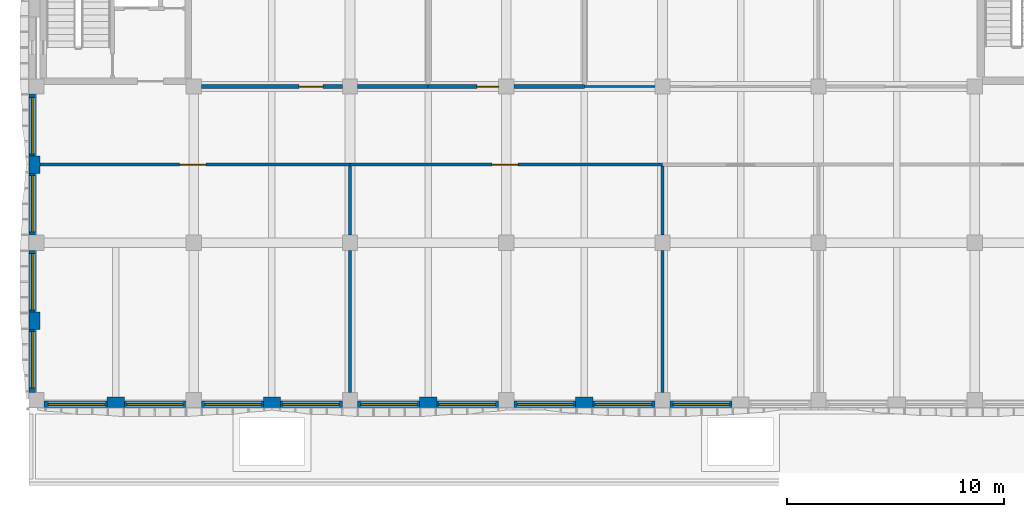
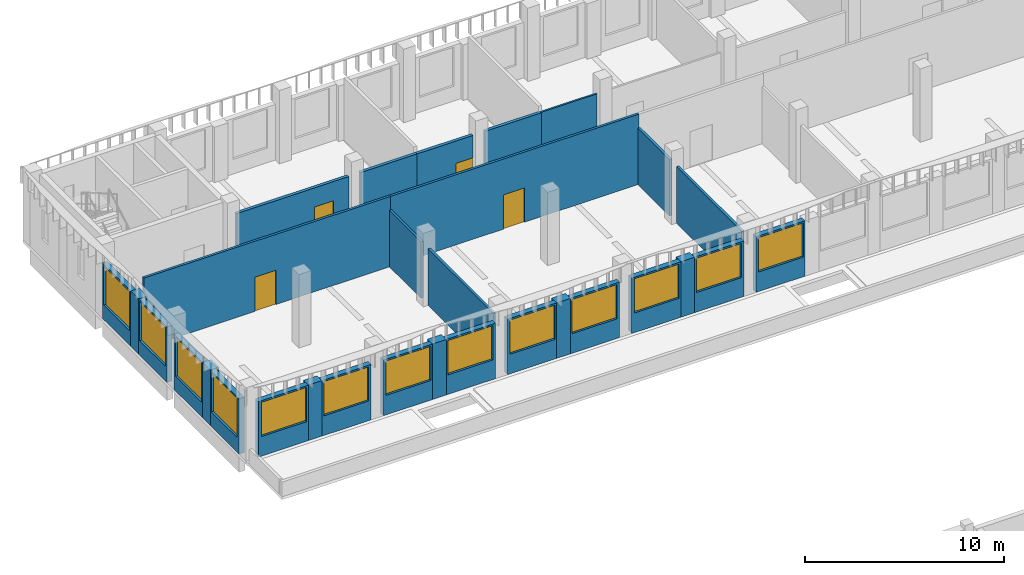
# One storey, part 26 of 59: 30 walls, 13 windows, 4 doors, 17 openings.
"""IFC4 building model written with IfcOpenShell, lengths in metres."""

from ifc_helpers import new_model, si_unit, direction, frame, frame_2d, origin, place, context, subcontext, project, spatial, rectangle, extrude, material, layer, layer_set, type_object, element, fill, save


model = new_model("IFC4")

# Units and contexts
model_context = context("Model", 3, precision=1e-05, world=origin(), true_north=direction((0.0, 1.0)))
body_context = subcontext(model_context, "Body", "Model", "MODEL_VIEW")
ifc_project = project(units=[si_unit("LENGTHUNIT", "METRE"), si_unit("AREAUNIT", "SQUARE_METRE"), si_unit("VOLUMEUNIT", "CUBIC_METRE"), si_unit("PLANEANGLEUNIT", "RADIAN"), si_unit("MASSUNIT", "GRAM", prefix="KILO")], contexts=[model_context])

# Site, building, storey
site_placement = place(None, origin())
site = spatial("IfcSite", under=ifc_project, at=site_placement, CompositionType="ELEMENT")
building_placement = place(site_placement, origin())
building = spatial("IfcBuilding", under=site, at=building_placement, Name="Ussher Court Research Institute", CompositionType="ELEMENT")
storey_placement = place(building_placement, frame((0.0, 0.0, 5.39990234375)))
storey = spatial("IfcBuildingStorey", under=building, at=storey_placement, Name="L01", CompositionType="ELEMENT", Elevation=5.39990234375)

# Wall, opening, door
ifc_material_1 = material(Name="Plasterboard on steel studs with mineral wool", Category="steel")
ifc_layer_1 = layer(ifc_material_1, 0.179931640625)
ifc_layer_set_1 = layer_set([ifc_layer_1], Name="Plasterboard on steel studs with mineral wool")
wall_type_1 = type_object("IfcWallType", Name="Acoustic twin-stud partition 180", PredefinedType="PARTITIONING", material=ifc_layer_set_1)
wall_1_placement = place(storey_placement, frame((10.550048828125, 83.199951171875, 0.0), z_axis=(0.0, 0.0, 1.0), x_axis=(1.0, 0.0, 0.0)))
wall_1 = element("IfcWall", 1, at=wall_1_placement, inside=storey, type_object=wall_type_1, Name="Partition", PredefinedType="PARTITIONING", context=body_context, shape_type="SweptSolid", body=[
    extrude(rectangle(XDim=6.5, YDim=0.179931640625, at=frame_2d((3.25, 0.0))), origin(), (0.0, 0.0, 1.0), 3.47021484375),
])
opening_1_placement = place(wall_1_placement, frame((4.5, 0.0, 0.0)))
opening_1 = element("IfcOpeningElement", 2, at=opening_1_placement, cuts=wall_1, Name="Opening D01010", PredefinedType="OPENING", context=body_context, shape_type="SweptSolid", body=[
    extrude(rectangle(XDim=1.10009765625, YDim=2.300048828125, at=frame_2d((0.550048828125, 1.14990234375))), frame((0.0, 0.10009765625, 0.0), z_axis=(0.0, -1.0, 0.0), x_axis=(1.0, 0.0, 0.0)), (0.0, 0.0, 1.0), 0.199951171875),
])
ifc_material_2 = material(Name="Veneered timber door", Category="wood")
door_type_1 = type_object("IfcDoorType", Name="Seminar room door 1100x2300", OperationType="NOTDEFINED", PredefinedType="DOOR", material=ifc_material_2)
door_1_placement = place(opening_1_placement, origin())
door_1 = element("IfcDoor", 3, at=door_1_placement, inside=storey, type_object=door_type_1, Name="Door D01010", OperationType="SINGLE_SWING_RIGHT", OverallHeight=2.300048828125, OverallWidth=1.10009765625, PredefinedType="DOOR", context=body_context, shape_type="SweptSolid", body=[
    extrude(rectangle(XDim=1.10009765625, YDim=2.300048828125, at=frame_2d((0.550048828125, 1.14990234375))), frame((0.0, 0.02490234375, 0.0), z_axis=(0.0, -1.0, 0.0), x_axis=(1.0, 0.0, 0.0)), (0.0, 0.0, 1.0), 0.050048828125),
])
fill(opening_1, door_1)

# Wall
wall_2_placement = place(storey_placement, frame((17.75, 83.199951171875, 0.0), z_axis=(0.0, 0.0, 1.0), x_axis=(1.0, 0.0, 0.0)))
element("IfcWall", 4, at=wall_2_placement, inside=storey, type_object=wall_type_1, Name="Partition", PredefinedType="PARTITIONING", context=body_context, shape_type="SweptSolid", body=[
    extrude(rectangle(XDim=3.25, YDim=0.179931640625, at=frame_2d((1.625, 0.0))), origin(), (0.0, 0.0, 1.0), 3.47021484375),
])

# Wall, opening, door
wall_3_placement = place(storey_placement, frame((21.0, 83.199951171875, 0.0), z_axis=(0.0, 0.0, 1.0), x_axis=(1.0, 0.0, 0.0)))
wall_3 = element("IfcWall", 5, at=wall_3_placement, inside=storey, type_object=wall_type_1, Name="Partition", PredefinedType="PARTITIONING", context=body_context, shape_type="SweptSolid", body=[
    extrude(rectangle(XDim=3.25, YDim=0.179931640625, at=frame_2d((1.625, 0.0))), origin(), (0.0, 0.0, 1.0), 3.47021484375),
])
opening_2_placement = place(wall_3_placement, frame((2.25, 0.0, 0.0)))
opening_2 = element("IfcOpeningElement", 6, at=opening_2_placement, cuts=wall_3, Name="Opening D01013", PredefinedType="OPENING", context=body_context, shape_type="SweptSolid", body=[
    extrude(rectangle(XDim=1.0, YDim=2.10009765625, at=frame_2d((0.5, 1.050048828125))), frame((0.0, 0.10009765625, 0.0), z_axis=(0.0, -1.0, 0.0), x_axis=(1.0, 0.0, 0.0)), (0.0, 0.0, 1.0), 0.199951171875),
])
ifc_material_3 = material(Name="Veneered timber door", Category="wood")
door_type_2 = type_object("IfcDoorType", Name="Meeting room door 1000x2100", OperationType="NOTDEFINED", PredefinedType="DOOR", material=ifc_material_3)
door_2_placement = place(opening_2_placement, origin())
door_2 = element("IfcDoor", 7, at=door_2_placement, inside=storey, type_object=door_type_2, Name="Door D01013", OperationType="SINGLE_SWING_RIGHT", OverallHeight=2.10009765625, OverallWidth=1.0, PredefinedType="DOOR", context=body_context, shape_type="SweptSolid", body=[
    extrude(rectangle(XDim=1.0, YDim=2.10009765625, at=frame_2d((0.5, 1.050048828125))), frame((0.0, 0.02490234375, 0.0), z_axis=(0.0, -1.0, 0.0), x_axis=(1.0, 0.0, 0.0)), (0.0, 0.0, 1.0), 0.050048828125),
])
fill(opening_2, door_2)

# Wall
wall_4_placement = place(storey_placement, frame((24.949951171875, 83.199951171875, 0.0), z_axis=(0.0, 0.0, 1.0), x_axis=(1.0, 0.0, 0.0)))
element("IfcWall", 8, at=wall_4_placement, inside=storey, type_object=wall_type_1, Name="Partition", PredefinedType="PARTITIONING", context=body_context, shape_type="SweptSolid", body=[
    extrude(rectangle(XDim=3.25, YDim=0.179931640625, at=frame_2d((1.625, 0.0))), origin(), (0.0, 0.0, 1.0), 3.47021484375),
])

# Wall, opening, window
ifc_material_4 = material(Name="Blockwork with cream render", Category="masonry")
ifc_layer_2 = layer(ifc_material_4, 0.300048828125)
ifc_layer_set_2 = layer_set([ifc_layer_2], Name="Blockwork with cream render")
wall_type_2 = type_object("IfcWallType", Name="External wall 300 cream render", PredefinedType="SOLIDWALL", material=ifc_layer_set_2)
wall_5_placement = place(storey_placement, frame((35.0, 68.550048828125, 0.0), z_axis=(0.0, 0.0, 1.0), x_axis=(-1.0, 0.0, 0.0)))
wall_5 = element("IfcWall", 9, at=wall_5_placement, inside=storey, type_object=wall_type_2, Name="External wall EW1 L01", PredefinedType="SOLIDWALL", context=body_context, shape_type="SweptSolid", body=[
    extrude(rectangle(XDim=2.85009765625, YDim=0.300048828125, at=frame_2d((1.425048828125, 0.0))), origin(), (0.0, 0.0, 1.0), 3.400146484375),
])
opening_3_placement = place(wall_5_placement, frame((0.10009765625, 0.0, 1.199951171875)))
opening_3 = element("IfcOpeningElement", 10, at=opening_3_placement, cuts=wall_5, Name="Opening W08", PredefinedType="OPENING", context=body_context, shape_type="SweptSolid", body=[
    extrude(rectangle(XDim=2.60009765625, YDim=2.10009765625, at=frame_2d((1.300048828125, 1.050048828125))), frame((0.0, 0.16015625, 0.0), z_axis=(0.0, -1.0, 0.0), x_axis=(1.0, 0.0, 0.0)), (0.0, 0.0, 1.0), 0.320068359375),
])
ifc_material_5 = material(Name="Bronze anodised aluminium with double glazing", Category="aluminium")
window_type_1 = type_object("IfcWindowType", Name="Dry laboratory bay window 2600x2100", PartitioningType="DOUBLE_PANEL_VERTICAL", PredefinedType="WINDOW", material=ifc_material_5)
window_1_placement = place(opening_3_placement, origin())
window_1 = element("IfcWindow", 11, at=window_1_placement, inside=storey, type_object=window_type_1, Name="Window W08 L01", OverallHeight=2.10009765625, OverallWidth=2.60009765625, PartitioningType="SINGLE_PANEL", PredefinedType="WINDOW", context=body_context, shape_type="SweptSolid", body=[
    extrude(rectangle(XDim=2.60009765625, YDim=2.10009765625, at=frame_2d((1.300048828125, 1.050048828125))), frame((0.0, 0.030029296875, 0.0), z_axis=(0.0, -1.0, 0.0), x_axis=(1.0, 0.0, 0.0)), (0.0, 0.0, 1.0), 0.06005859375),
])
fill(opening_3, window_1)

wall_6_placement = place(storey_placement, frame((31.449951171875, 68.550048828125, 0.0), z_axis=(0.0, 0.0, 1.0), x_axis=(-1.0, 0.0, 0.0)))
wall_6 = element("IfcWall", 12, at=wall_6_placement, inside=storey, type_object=wall_type_2, Name="External wall EW1 L01", PredefinedType="SOLIDWALL", context=body_context, shape_type="SweptSolid", body=[
    extrude(rectangle(XDim=2.849853515625, YDim=0.300048828125, at=frame_2d((1.4248046875, 0.0))), origin(), (0.0, 0.0, 1.0), 3.400146484375),
])
opening_4_placement = place(wall_6_placement, frame((0.14990234375, 0.0, 1.199951171875)))
opening_4 = element("IfcOpeningElement", 13, at=opening_4_placement, cuts=wall_6, Name="Opening W08", PredefinedType="OPENING", context=body_context, shape_type="SweptSolid", body=[
    extrude(rectangle(XDim=2.60009765625, YDim=2.10009765625, at=frame_2d((1.300048828125, 1.050048828125))), frame((0.0, 0.16015625, 0.0), z_axis=(0.0, -1.0, 0.0), x_axis=(1.0, 0.0, 0.0)), (0.0, 0.0, 1.0), 0.320068359375),
])
window_2_placement = place(opening_4_placement, origin())
window_2 = element("IfcWindow", 14, at=window_2_placement, inside=storey, type_object=window_type_1, Name="Window W08 L01", OverallHeight=2.10009765625, OverallWidth=2.60009765625, PartitioningType="SINGLE_PANEL", PredefinedType="WINDOW", context=body_context, shape_type="SweptSolid", body=[
    extrude(rectangle(XDim=2.60009765625, YDim=2.10009765625, at=frame_2d((1.300048828125, 1.050048828125))), frame((0.0, 0.030029296875, 0.0), z_axis=(0.0, -1.0, 0.0), x_axis=(1.0, 0.0, 0.0)), (0.0, 0.0, 1.0), 0.06005859375),
])
fill(opening_4, window_2)

wall_7_placement = place(storey_placement, frame((27.800048828125, 68.550048828125, 0.0), z_axis=(0.0, 0.0, 1.0), x_axis=(-1.0, 0.0, 0.0)))
wall_7 = element("IfcWall", 15, at=wall_7_placement, inside=storey, type_object=wall_type_2, Name="External wall EW1 L01", PredefinedType="SOLIDWALL", context=body_context, shape_type="SweptSolid", body=[
    extrude(rectangle(XDim=2.85009765625, YDim=0.300048828125, at=frame_2d((1.425048828125, 0.0))), origin(), (0.0, 0.0, 1.0), 3.400146484375),
])
opening_5_placement = place(wall_7_placement, frame((0.10009765625, 0.0, 1.199951171875)))
opening_5 = element("IfcOpeningElement", 16, at=opening_5_placement, cuts=wall_7, Name="Opening W08", PredefinedType="OPENING", context=body_context, shape_type="SweptSolid", body=[
    extrude(rectangle(XDim=2.60009765625, YDim=2.10009765625, at=frame_2d((1.300048828125, 1.050048828125))), frame((0.0, 0.16015625, 0.0), z_axis=(0.0, -1.0, 0.0), x_axis=(1.0, 0.0, 0.0)), (0.0, 0.0, 1.0), 0.320068359375),
])
window_3_placement = place(opening_5_placement, origin())
window_3 = element("IfcWindow", 17, at=window_3_placement, inside=storey, type_object=window_type_1, Name="Window W08 L01", OverallHeight=2.10009765625, OverallWidth=2.60009765625, PartitioningType="SINGLE_PANEL", PredefinedType="WINDOW", context=body_context, shape_type="SweptSolid", body=[
    extrude(rectangle(XDim=2.60009765625, YDim=2.10009765625, at=frame_2d((1.300048828125, 1.050048828125))), frame((0.0, 0.030029296875, 0.0), z_axis=(0.0, -1.0, 0.0), x_axis=(1.0, 0.0, 0.0)), (0.0, 0.0, 1.0), 0.06005859375),
])
fill(opening_5, window_3)

wall_8_placement = place(storey_placement, frame((24.25, 68.550048828125, 0.0), z_axis=(0.0, 0.0, 1.0), x_axis=(-1.0, 0.0, 0.0)))
wall_8 = element("IfcWall", 18, at=wall_8_placement, inside=storey, type_object=wall_type_2, Name="External wall EW1 L01", PredefinedType="SOLIDWALL", context=body_context, shape_type="SweptSolid", body=[
    extrude(rectangle(XDim=2.85009765625, YDim=0.300048828125, at=frame_2d((1.425048828125, 0.0))), origin(), (0.0, 0.0, 1.0), 3.400146484375),
])
opening_6_placement = place(wall_8_placement, frame((0.14990234375, 0.0, 1.199951171875)))
opening_6 = element("IfcOpeningElement", 19, at=opening_6_placement, cuts=wall_8, Name="Opening W08", PredefinedType="OPENING", context=body_context, shape_type="SweptSolid", body=[
    extrude(rectangle(XDim=2.60009765625, YDim=2.10009765625, at=frame_2d((1.300048828125, 1.050048828125))), frame((0.0, 0.16015625, 0.0), z_axis=(0.0, -1.0, 0.0), x_axis=(1.0, 0.0, 0.0)), (0.0, 0.0, 1.0), 0.320068359375),
])
window_4_placement = place(opening_6_placement, origin())
window_4 = element("IfcWindow", 20, at=window_4_placement, inside=storey, type_object=window_type_1, Name="Window W08 L01", OverallHeight=2.10009765625, OverallWidth=2.60009765625, PartitioningType="SINGLE_PANEL", PredefinedType="WINDOW", context=body_context, shape_type="SweptSolid", body=[
    extrude(rectangle(XDim=2.60009765625, YDim=2.10009765625, at=frame_2d((1.300048828125, 1.050048828125))), frame((0.0, 0.030029296875, 0.0), z_axis=(0.0, -1.0, 0.0), x_axis=(1.0, 0.0, 0.0)), (0.0, 0.0, 1.0), 0.06005859375),
])
fill(opening_6, window_4)

wall_9_placement = place(storey_placement, frame((20.60009765625, 68.550048828125, 0.0), z_axis=(0.0, 0.0, 1.0), x_axis=(-1.0, 0.0, 0.0)))
wall_9 = element("IfcWall", 21, at=wall_9_placement, inside=storey, type_object=wall_type_2, Name="External wall EW1 L01", PredefinedType="SOLIDWALL", context=body_context, shape_type="SweptSolid", body=[
    extrude(rectangle(XDim=2.85009765625, YDim=0.300048828125, at=frame_2d((1.425048828125, 0.0))), origin(), (0.0, 0.0, 1.0), 3.400146484375),
])
opening_7_placement = place(wall_9_placement, frame((0.10009765625, 0.0, 1.199951171875)))
opening_7 = element("IfcOpeningElement", 22, at=opening_7_placement, cuts=wall_9, Name="Opening W08", PredefinedType="OPENING", context=body_context, shape_type="SweptSolid", body=[
    extrude(rectangle(XDim=2.60009765625, YDim=2.10009765625, at=frame_2d((1.300048828125, 1.050048828125))), frame((0.0, 0.16015625, 0.0), z_axis=(0.0, -1.0, 0.0), x_axis=(1.0, 0.0, 0.0)), (0.0, 0.0, 1.0), 0.320068359375),
])
window_5_placement = place(opening_7_placement, origin())
window_5 = element("IfcWindow", 23, at=window_5_placement, inside=storey, type_object=window_type_1, Name="Window W08 L01", OverallHeight=2.10009765625, OverallWidth=2.60009765625, PartitioningType="SINGLE_PANEL", PredefinedType="WINDOW", context=body_context, shape_type="SweptSolid", body=[
    extrude(rectangle(XDim=2.60009765625, YDim=2.10009765625, at=frame_2d((1.300048828125, 1.050048828125))), frame((0.0, 0.030029296875, 0.0), z_axis=(0.0, -1.0, 0.0), x_axis=(1.0, 0.0, 0.0)), (0.0, 0.0, 1.0), 0.06005859375),
])
fill(opening_7, window_5)

wall_10_placement = place(storey_placement, frame((17.050048828125, 68.550048828125, 0.0), z_axis=(0.0, 0.0, 1.0), x_axis=(-1.0, 0.0, 0.0)))
wall_10 = element("IfcWall", 24, at=wall_10_placement, inside=storey, type_object=wall_type_2, Name="External wall EW1 L01", PredefinedType="SOLIDWALL", context=body_context, shape_type="SweptSolid", body=[
    extrude(rectangle(XDim=2.85009765625, YDim=0.300048828125, at=frame_2d((1.425048828125, 0.0))), origin(), (0.0, 0.0, 1.0), 3.400146484375),
])
opening_8_placement = place(wall_10_placement, frame((0.14990234375, 0.0, 1.199951171875)))
opening_8 = element("IfcOpeningElement", 25, at=opening_8_placement, cuts=wall_10, Name="Opening W08", PredefinedType="OPENING", context=body_context, shape_type="SweptSolid", body=[
    extrude(rectangle(XDim=2.60009765625, YDim=2.10009765625, at=frame_2d((1.300048828125, 1.050048828125))), frame((0.0, 0.16015625, 0.0), z_axis=(0.0, -1.0, 0.0), x_axis=(1.0, 0.0, 0.0)), (0.0, 0.0, 1.0), 0.320068359375),
])
window_6_placement = place(opening_8_placement, origin())
window_6 = element("IfcWindow", 26, at=window_6_placement, inside=storey, type_object=window_type_1, Name="Window W08 L01", OverallHeight=2.10009765625, OverallWidth=2.60009765625, PartitioningType="SINGLE_PANEL", PredefinedType="WINDOW", context=body_context, shape_type="SweptSolid", body=[
    extrude(rectangle(XDim=2.60009765625, YDim=2.10009765625, at=frame_2d((1.300048828125, 1.050048828125))), frame((0.0, 0.030029296875, 0.0), z_axis=(0.0, -1.0, 0.0), x_axis=(1.0, 0.0, 0.0)), (0.0, 0.0, 1.0), 0.06005859375),
])
fill(opening_8, window_6)

wall_11_placement = place(storey_placement, frame((13.39990234375, 68.550048828125, 0.0), z_axis=(0.0, 0.0, 1.0), x_axis=(-1.0, 0.0, 0.0)))
wall_11 = element("IfcWall", 27, at=wall_11_placement, inside=storey, type_object=wall_type_2, Name="External wall EW1 L01", PredefinedType="SOLIDWALL", context=body_context, shape_type="SweptSolid", body=[
    extrude(rectangle(XDim=2.849853515625, YDim=0.300048828125, at=frame_2d((1.4248046875, 0.0))), origin(), (0.0, 0.0, 1.0), 3.400146484375),
])
opening_9_placement = place(wall_11_placement, frame((0.10009765625, 0.0, 1.199951171875)))
opening_9 = element("IfcOpeningElement", 28, at=opening_9_placement, cuts=wall_11, Name="Opening W08", PredefinedType="OPENING", context=body_context, shape_type="SweptSolid", body=[
    extrude(rectangle(XDim=2.60009765625, YDim=2.10009765625, at=frame_2d((1.300048828125, 1.050048828125))), frame((0.0, 0.16015625, 0.0), z_axis=(0.0, -1.0, 0.0), x_axis=(1.0, 0.0, 0.0)), (0.0, 0.0, 1.0), 0.320068359375),
])
window_7_placement = place(opening_9_placement, origin())
window_7 = element("IfcWindow", 29, at=window_7_placement, inside=storey, type_object=window_type_1, Name="Window W08 L01", OverallHeight=2.10009765625, OverallWidth=2.60009765625, PartitioningType="SINGLE_PANEL", PredefinedType="WINDOW", context=body_context, shape_type="SweptSolid", body=[
    extrude(rectangle(XDim=2.60009765625, YDim=2.10009765625, at=frame_2d((1.300048828125, 1.050048828125))), frame((0.0, 0.030029296875, 0.0), z_axis=(0.0, -1.0, 0.0), x_axis=(1.0, 0.0, 0.0)), (0.0, 0.0, 1.0), 0.06005859375),
])
fill(opening_9, window_7)

wall_12_placement = place(storey_placement, frame((9.85009765625, 68.550048828125, 0.0), z_axis=(0.0, 0.0, 1.0), x_axis=(-1.0, 0.0, 0.0)))
wall_12 = element("IfcWall", 30, at=wall_12_placement, inside=storey, type_object=wall_type_2, Name="External wall EW1 L01", PredefinedType="SOLIDWALL", context=body_context, shape_type="SweptSolid", body=[
    extrude(rectangle(XDim=2.85009765625, YDim=0.300048828125, at=frame_2d((1.425048828125, 0.0))), origin(), (0.0, 0.0, 1.0), 3.400146484375),
])
opening_10_placement = place(wall_12_placement, frame((0.14990234375, 0.0, 1.199951171875)))
opening_10 = element("IfcOpeningElement", 31, at=opening_10_placement, cuts=wall_12, Name="Opening W08", PredefinedType="OPENING", context=body_context, shape_type="SweptSolid", body=[
    extrude(rectangle(XDim=2.60009765625, YDim=2.10009765625, at=frame_2d((1.300048828125, 1.050048828125))), frame((0.0, 0.16015625, 0.0), z_axis=(0.0, -1.0, 0.0), x_axis=(1.0, 0.0, 0.0)), (0.0, 0.0, 1.0), 0.320068359375),
])
window_8_placement = place(opening_10_placement, origin())
window_8 = element("IfcWindow", 32, at=window_8_placement, inside=storey, type_object=window_type_1, Name="Window W08 L01", OverallHeight=2.10009765625, OverallWidth=2.60009765625, PartitioningType="SINGLE_PANEL", PredefinedType="WINDOW", context=body_context, shape_type="SweptSolid", body=[
    extrude(rectangle(XDim=2.60009765625, YDim=2.10009765625, at=frame_2d((1.300048828125, 1.050048828125))), frame((0.0, 0.030029296875, 0.0), z_axis=(0.0, -1.0, 0.0), x_axis=(1.0, 0.0, 0.0)), (0.0, 0.0, 1.0), 0.06005859375),
])
fill(opening_10, window_8)

wall_13_placement = place(storey_placement, frame((6.199951171875, 68.550048828125, 0.0), z_axis=(0.0, 0.0, 1.0), x_axis=(-1.0, 0.0, 0.0)))
wall_13 = element("IfcWall", 33, at=wall_13_placement, inside=storey, type_object=wall_type_2, Name="External wall EW1 L01", PredefinedType="SOLIDWALL", context=body_context, shape_type="SweptSolid", body=[
    extrude(rectangle(XDim=2.89990234375, YDim=0.300048828125, at=frame_2d((1.449951171875, 0.0))), origin(), (0.0, 0.0, 1.0), 3.400146484375),
])
opening_11_placement = place(wall_13_placement, frame((0.10009765625, 0.0, 1.199951171875)))
opening_11 = element("IfcOpeningElement", 34, at=opening_11_placement, cuts=wall_13, Name="Opening W08", PredefinedType="OPENING", context=body_context, shape_type="SweptSolid", body=[
    extrude(rectangle(XDim=2.60009765625, YDim=2.10009765625, at=frame_2d((1.300048828125, 1.050048828125))), frame((0.0, 0.16015625, 0.0), z_axis=(0.0, -1.0, 0.0), x_axis=(1.0, 0.0, 0.0)), (0.0, 0.0, 1.0), 0.320068359375),
])
window_9_placement = place(opening_11_placement, origin())
window_9 = element("IfcWindow", 35, at=window_9_placement, inside=storey, type_object=window_type_1, Name="Window W08 L01", OverallHeight=2.10009765625, OverallWidth=2.60009765625, PartitioningType="SINGLE_PANEL", PredefinedType="WINDOW", context=body_context, shape_type="SweptSolid", body=[
    extrude(rectangle(XDim=2.60009765625, YDim=2.10009765625, at=frame_2d((1.300048828125, 1.050048828125))), frame((0.0, 0.030029296875, 0.0), z_axis=(0.0, -1.0, 0.0), x_axis=(1.0, 0.0, 0.0)), (0.0, 0.0, 1.0), 0.06005859375),
])
fill(opening_11, window_9)

wall_14_placement = place(storey_placement, frame((2.75, 69.10009765625, 0.0), z_axis=(0.0, 0.0, 1.0), x_axis=(0.0, 1.0, 0.0)))
wall_14 = element("IfcWall", 36, at=wall_14_placement, inside=storey, type_object=wall_type_2, Name="External wall EW1 L01", PredefinedType="SOLIDWALL", context=body_context, shape_type="SweptSolid", body=[
    extrude(rectangle(XDim=2.89990234375, YDim=0.300048828125, at=frame_2d((1.449951171875, 0.0))), origin(), (0.0, 0.0, 1.0), 3.400146484375),
])
opening_12_placement = place(wall_14_placement, frame((0.199951171875, 0.0, 0.89990234375)))
opening_12 = element("IfcOpeningElement", 37, at=opening_12_placement, cuts=wall_14, Name="Opening W01", PredefinedType="OPENING", context=body_context, shape_type="SweptSolid", body=[
    extrude(rectangle(XDim=2.60009765625, YDim=2.39990234375, at=frame_2d((1.300048828125, 1.199951171875))), frame((0.0, 0.16015625, 0.0), z_axis=(0.0, -1.0, 0.0), x_axis=(1.0, 0.0, 0.0)), (0.0, 0.0, 1.0), 0.320068359375),
])
ifc_material_6 = material(Name="Bronze anodised aluminium with double glazing", Category="aluminium")
window_type_2 = type_object("IfcWindowType", Name="Laboratory bay window 2600x2400", PartitioningType="DOUBLE_PANEL_VERTICAL", PredefinedType="WINDOW", material=ifc_material_6)
window_10_placement = place(opening_12_placement, origin())
window_10 = element("IfcWindow", 38, at=window_10_placement, inside=storey, type_object=window_type_2, Name="Window W01 L01", OverallHeight=2.39990234375, OverallWidth=2.60009765625, PartitioningType="SINGLE_PANEL", PredefinedType="WINDOW", context=body_context, shape_type="SweptSolid", body=[
    extrude(rectangle(XDim=2.60009765625, YDim=2.39990234375, at=frame_2d((1.300048828125, 1.199951171875))), frame((0.0, 0.030029296875, 0.0), z_axis=(0.0, -1.0, 0.0), x_axis=(1.0, 0.0, 0.0)), (0.0, 0.0, 1.0), 0.06005859375),
])
fill(opening_12, window_10)

wall_15_placement = place(storey_placement, frame((2.75, 72.800048828125, 0.0), z_axis=(0.0, 0.0, 1.0), x_axis=(0.0, 1.0, 0.0)))
wall_15 = element("IfcWall", 39, at=wall_15_placement, inside=storey, type_object=wall_type_2, Name="External wall EW1 L01", PredefinedType="SOLIDWALL", context=body_context, shape_type="SweptSolid", body=[
    extrude(rectangle(XDim=2.849853515625, YDim=0.300048828125, at=frame_2d((1.4248046875, 0.0))), origin(), (0.0, 0.0, 1.0), 3.400146484375),
])
opening_13_placement = place(wall_15_placement, frame((0.10009765625, 0.0, 0.89990234375)))
opening_13 = element("IfcOpeningElement", 40, at=opening_13_placement, cuts=wall_15, Name="Opening W01", PredefinedType="OPENING", context=body_context, shape_type="SweptSolid", body=[
    extrude(rectangle(XDim=2.60009765625, YDim=2.39990234375, at=frame_2d((1.300048828125, 1.199951171875))), frame((0.0, 0.16015625, 0.0), z_axis=(0.0, -1.0, 0.0), x_axis=(1.0, 0.0, 0.0)), (0.0, 0.0, 1.0), 0.320068359375),
])
window_11_placement = place(opening_13_placement, origin())
window_11 = element("IfcWindow", 41, at=window_11_placement, inside=storey, type_object=window_type_2, Name="Window W01 L01", OverallHeight=2.39990234375, OverallWidth=2.60009765625, PartitioningType="SINGLE_PANEL", PredefinedType="WINDOW", context=body_context, shape_type="SweptSolid", body=[
    extrude(rectangle(XDim=2.60009765625, YDim=2.39990234375, at=frame_2d((1.300048828125, 1.199951171875))), frame((0.0, 0.030029296875, 0.0), z_axis=(0.0, -1.0, 0.0), x_axis=(1.0, 0.0, 0.0)), (0.0, 0.0, 1.0), 0.06005859375),
])
fill(opening_13, window_11)

wall_16_placement = place(storey_placement, frame((2.75, 76.35009765625, 0.0), z_axis=(0.0, 0.0, 1.0), x_axis=(0.0, 1.0, 0.0)))
wall_16 = element("IfcWall", 42, at=wall_16_placement, inside=storey, type_object=wall_type_2, Name="External wall EW1 L01", PredefinedType="SOLIDWALL", context=body_context, shape_type="SweptSolid", body=[
    extrude(rectangle(XDim=2.849853515625, YDim=0.300048828125, at=frame_2d((1.4248046875, 0.0))), origin(), (0.0, 0.0, 1.0), 3.400146484375),
])
opening_14_placement = place(wall_16_placement, frame((0.14990234375, 0.0, 0.89990234375)))
opening_14 = element("IfcOpeningElement", 43, at=opening_14_placement, cuts=wall_16, Name="Opening W01", PredefinedType="OPENING", context=body_context, shape_type="SweptSolid", body=[
    extrude(rectangle(XDim=2.60009765625, YDim=2.39990234375, at=frame_2d((1.300048828125, 1.199951171875))), frame((0.0, 0.16015625, 0.0), z_axis=(0.0, -1.0, 0.0), x_axis=(1.0, 0.0, 0.0)), (0.0, 0.0, 1.0), 0.320068359375),
])
window_12_placement = place(opening_14_placement, origin())
window_12 = element("IfcWindow", 44, at=window_12_placement, inside=storey, type_object=window_type_2, Name="Window W01 L01", OverallHeight=2.39990234375, OverallWidth=2.60009765625, PartitioningType="SINGLE_PANEL", PredefinedType="WINDOW", context=body_context, shape_type="SweptSolid", body=[
    extrude(rectangle(XDim=2.60009765625, YDim=2.39990234375, at=frame_2d((1.300048828125, 1.199951171875))), frame((0.0, 0.030029296875, 0.0), z_axis=(0.0, -1.0, 0.0), x_axis=(1.0, 0.0, 0.0)), (0.0, 0.0, 1.0), 0.06005859375),
])
fill(opening_14, window_12)

wall_17_placement = place(storey_placement, frame((2.75, 80.0, 0.0), z_axis=(0.0, 0.0, 1.0), x_axis=(0.0, 1.0, 0.0)))
wall_17 = element("IfcWall", 45, at=wall_17_placement, inside=storey, type_object=wall_type_2, Name="External wall EW1 L01", PredefinedType="SOLIDWALL", context=body_context, shape_type="SweptSolid", body=[
    extrude(rectangle(XDim=2.85009765625, YDim=0.300048828125, at=frame_2d((1.425048828125, 0.0))), origin(), (0.0, 0.0, 1.0), 3.400146484375),
])
opening_15_placement = place(wall_17_placement, frame((0.10009765625, 0.0, 0.89990234375)))
opening_15 = element("IfcOpeningElement", 46, at=opening_15_placement, cuts=wall_17, Name="Opening W01", PredefinedType="OPENING", context=body_context, shape_type="SweptSolid", body=[
    extrude(rectangle(XDim=2.60009765625, YDim=2.39990234375, at=frame_2d((1.300048828125, 1.199951171875))), frame((0.0, 0.16015625, 0.0), z_axis=(0.0, -1.0, 0.0), x_axis=(1.0, 0.0, 0.0)), (0.0, 0.0, 1.0), 0.320068359375),
])
window_13_placement = place(opening_15_placement, origin())
window_13 = element("IfcWindow", 47, at=window_13_placement, inside=storey, type_object=window_type_2, Name="Window W01 L01", OverallHeight=2.39990234375, OverallWidth=2.60009765625, PartitioningType="SINGLE_PANEL", PredefinedType="WINDOW", context=body_context, shape_type="SweptSolid", body=[
    extrude(rectangle(XDim=2.60009765625, YDim=2.39990234375, at=frame_2d((1.300048828125, 1.199951171875))), frame((0.0, 0.030029296875, 0.0), z_axis=(0.0, -1.0, 0.0), x_axis=(1.0, 0.0, 0.0)), (0.0, 0.0, 1.0), 0.06005859375),
])
fill(opening_15, window_13)

# Wall, opening, door
ifc_material_7 = material(Name="Plastered blockwork", Category="masonry")
ifc_layer_3 = layer(ifc_material_7, 0.139892578125)
ifc_layer_set_3 = layer_set([ifc_layer_3], Name="Plastered blockwork")
wall_type_3 = type_object("IfcWallType", Name="Laboratory blockwork partition 140", PredefinedType="PARTITIONING", material=ifc_layer_set_3)
wall_18_placement = place(storey_placement, frame((17.39990234375, 79.60009765625, 0.0), z_axis=(0.0, 0.0, 1.0), x_axis=(-1.0, 0.0, 0.0)))
wall_18 = element("IfcWall", 48, at=wall_18_placement, inside=storey, type_object=wall_type_3, Name="Partition", PredefinedType="PARTITIONING", context=body_context, shape_type="SweptSolid", body=[
    extrude(rectangle(XDim=14.2998046875, YDim=0.139892578125, at=frame_2d((7.14990234375, 0.0))), origin(), (0.0, 0.0, 1.0), 4.300048828125),
])
opening_16_placement = place(wall_18_placement, frame((6.64990234375, 0.0, 0.0)))
opening_16 = element("IfcOpeningElement", 49, at=opening_16_placement, cuts=wall_18, Name="Opening D01008", PredefinedType="OPENING", context=body_context, shape_type="SweptSolid", body=[
    extrude(rectangle(XDim=1.199951171875, YDim=2.10009765625, at=frame_2d((0.60009765625, 1.050048828125))), frame((0.0, 0.080078125, 0.0), z_axis=(0.0, -1.0, 0.0), x_axis=(1.0, 0.0, 0.0)), (0.0, 0.0, 1.0), 0.159912109375),
])
ifc_material_8 = material(Name="Veneered timber door", Category="wood")
door_type_3 = type_object("IfcDoorType", Name="Laboratory door 1200x2100", OperationType="NOTDEFINED", PredefinedType="DOOR", material=ifc_material_8)
door_3_placement = place(opening_16_placement, origin())
door_3 = element("IfcDoor", 50, at=door_3_placement, inside=storey, type_object=door_type_3, Name="Door D01008", OperationType="SINGLE_SWING_RIGHT", OverallHeight=2.10009765625, OverallWidth=1.199951171875, PredefinedType="DOOR", context=body_context, shape_type="SweptSolid", body=[
    extrude(rectangle(XDim=1.199951171875, YDim=2.10009765625, at=frame_2d((0.60009765625, 1.050048828125))), frame((0.0, 0.02490234375, 0.0), z_axis=(0.0, -1.0, 0.0), x_axis=(1.0, 0.0, 0.0)), (0.0, 0.0, 1.0), 0.050048828125),
])
fill(opening_16, door_3)

wall_19_placement = place(storey_placement, frame((31.800048828125, 79.60009765625, 0.0), z_axis=(0.0, 0.0, 1.0), x_axis=(-1.0, 0.0, 0.0)))
wall_19 = element("IfcWall", 51, at=wall_19_placement, inside=storey, type_object=wall_type_3, Name="Partition", PredefinedType="PARTITIONING", context=body_context, shape_type="SweptSolid", body=[
    extrude(rectangle(XDim=14.400146484375, YDim=0.139892578125, at=frame_2d((7.2001953125, 0.0))), origin(), (0.0, 0.0, 1.0), 4.300048828125),
])
opening_17_placement = place(wall_19_placement, frame((6.64990234375, 0.0, 0.0)))
opening_17 = element("IfcOpeningElement", 52, at=opening_17_placement, cuts=wall_19, Name="Opening D01016", PredefinedType="OPENING", context=body_context, shape_type="SweptSolid", body=[
    extrude(rectangle(XDim=1.199951171875, YDim=2.10009765625, at=frame_2d((0.60009765625, 1.050048828125))), frame((0.0, 0.080078125, 0.0), z_axis=(0.0, -1.0, 0.0), x_axis=(1.0, 0.0, 0.0)), (0.0, 0.0, 1.0), 0.159912109375),
])
door_4_placement = place(opening_17_placement, origin())
door_4 = element("IfcDoor", 53, at=door_4_placement, inside=storey, type_object=door_type_3, Name="Door D01016", OperationType="SINGLE_SWING_RIGHT", OverallHeight=2.10009765625, OverallWidth=1.199951171875, PredefinedType="DOOR", context=body_context, shape_type="SweptSolid", body=[
    extrude(rectangle(XDim=1.199951171875, YDim=2.10009765625, at=frame_2d((0.60009765625, 1.050048828125))), frame((0.0, 0.02490234375, 0.0), z_axis=(0.0, -1.0, 0.0), x_axis=(1.0, 0.0, 0.0)), (0.0, 0.0, 1.0), 0.050048828125),
])
fill(opening_17, door_4)

# Walls
wall_20_placement = place(storey_placement, frame((17.39990234375, 69.10009765625, 0.0), z_axis=(0.0, 0.0, 1.0), x_axis=(0.0, 1.0, 0.0)))
element("IfcWall", 54, at=wall_20_placement, inside=storey, type_object=wall_type_3, Name="Partition", PredefinedType="PARTITIONING", context=body_context, shape_type="SweptSolid", body=[
    extrude(rectangle(XDim=6.5498046875, YDim=0.139892578125, at=frame_2d((3.27490234375, 0.0))), origin(), (0.0, 0.0, 1.0), 3.47021484375),
])
wall_21_placement = place(storey_placement, frame((17.39990234375, 76.35009765625, 0.0), z_axis=(0.0, 0.0, 1.0), x_axis=(0.0, 1.0, 0.0)))
element("IfcWall", 55, at=wall_21_placement, inside=storey, type_object=wall_type_3, Name="Partition", PredefinedType="PARTITIONING", context=body_context, shape_type="SweptSolid", body=[
    extrude(rectangle(XDim=3.179931640625, YDim=0.139892578125, at=frame_2d((1.58984375, 0.0))), origin(), (0.0, 0.0, 1.0), 3.47021484375),
])
wall_22_placement = place(storey_placement, frame((31.800048828125, 69.10009765625, 0.0), z_axis=(0.0, 0.0, 1.0), x_axis=(0.0, 1.0, 0.0)))
element("IfcWall", 56, at=wall_22_placement, inside=storey, type_object=wall_type_3, Name="Partition", PredefinedType="PARTITIONING", context=body_context, shape_type="SweptSolid", body=[
    extrude(rectangle(XDim=6.5498046875, YDim=0.139892578125, at=frame_2d((3.27490234375, 0.0))), origin(), (0.0, 0.0, 1.0), 3.47021484375),
])
wall_23_placement = place(storey_placement, frame((31.800048828125, 76.35009765625, 0.0), z_axis=(0.0, 0.0, 1.0), x_axis=(0.0, 1.0, 0.0)))
element("IfcWall", 57, at=wall_23_placement, inside=storey, type_object=wall_type_3, Name="Partition", PredefinedType="PARTITIONING", context=body_context, shape_type="SweptSolid", body=[
    extrude(rectangle(XDim=3.179931640625, YDim=0.139892578125, at=frame_2d((1.58984375, 0.0))), origin(), (0.0, 0.0, 1.0), 3.47021484375),
])
ifc_material_9 = material(Name="Plastered blockwork", Category="masonry")
ifc_layer_4 = layer(ifc_material_9, 0.10009765625)
ifc_layer_set_4 = layer_set([ifc_layer_4], Name="Plastered blockwork")
wall_type_4 = type_object("IfcWallType", Name="Partition plastered blockwork 100", PredefinedType="PARTITIONING", material=ifc_layer_set_4)
wall_24_placement = place(storey_placement, frame((28.199951171875, 83.199951171875, 0.0), z_axis=(0.0, 0.0, 1.0), x_axis=(1.0, 0.0, 0.0)))
element("IfcWall", 58, at=wall_24_placement, inside=storey, type_object=wall_type_4, Name="Partition", PredefinedType="PARTITIONING", context=body_context, shape_type="SweptSolid", body=[
    extrude(rectangle(XDim=3.25, YDim=0.10009765625, at=frame_2d((1.625, 0.0))), origin(), (0.0, 0.0, 1.0), 3.47021484375),
])
ifc_material_10 = material(Name="Blockwork with cream render", Category="masonry")
ifc_layer_5 = layer(ifc_material_10, 0.5)
ifc_layer_set_5 = layer_set([ifc_layer_5], Name="Blockwork with cream render")
wall_type_5 = type_object("IfcWallType", Name="Pier 800x500 cream render", PredefinedType="SOLIDWALL", material=ifc_layer_set_5)
wall_25_placement = place(storey_placement, frame((28.60009765625, 68.64990234375, 0.0), z_axis=(0.0, 0.0, 1.0), x_axis=(-1.0, 0.0, 0.0)))
element("IfcWall", 59, at=wall_25_placement, inside=storey, type_object=wall_type_5, Name="Pier PR1 L01", PredefinedType="SOLIDWALL", context=body_context, shape_type="SweptSolid", body=[
    extrude(rectangle(XDim=0.800048828125, YDim=0.5, at=frame_2d((0.39990234375, 0.0))), origin(), (0.0, 0.0, 1.0), 3.400146484375),
])
wall_26_placement = place(storey_placement, frame((21.39990234375, 68.64990234375, 0.0), z_axis=(0.0, 0.0, 1.0), x_axis=(-1.0, 0.0, 0.0)))
element("IfcWall", 60, at=wall_26_placement, inside=storey, type_object=wall_type_5, Name="Pier PR1 L01", PredefinedType="SOLIDWALL", context=body_context, shape_type="SweptSolid", body=[
    extrude(rectangle(XDim=0.7998046875, YDim=0.5, at=frame_2d((0.39990234375, 0.0))), origin(), (0.0, 0.0, 1.0), 3.400146484375),
])
for number, where, z_axis, x_axis, name in (
    (61, (14.199951171875, 68.64990234375, 0.0), (0.0, 0.0, 1.0), (-1.0, 0.0, 0.0), "Pier PR1 L01"),
    (62, (7.0, 68.64990234375, 0.0), (0.0, 0.0, 1.0), (-1.0, 0.0, 0.0), "Pier PR1 L01"),
    (63, (2.85009765625, 72.0, 0.0), (0.0, 0.0, 1.0), (0.0, 1.0, 0.0), "Pier PR1 L01"),
    (64, (2.85009765625, 79.199951171875, 0.0), (0.0, 0.0, 1.0), (0.0, 1.0, 0.0), "Pier PR1 L01"),
):
    element("IfcWall", number, at=place(storey_placement, frame(where, z_axis=z_axis, x_axis=x_axis)), inside=storey, type_object=wall_type_5, Name=name, PredefinedType="SOLIDWALL", context=body_context, shape_type="SweptSolid", body=[
        extrude(rectangle(XDim=0.800048828125, YDim=0.5, at=frame_2d((0.39990234375, 0.0))), origin(), (0.0, 0.0, 1.0), 3.400146484375),
    ])

save(model, "model.ifc")
